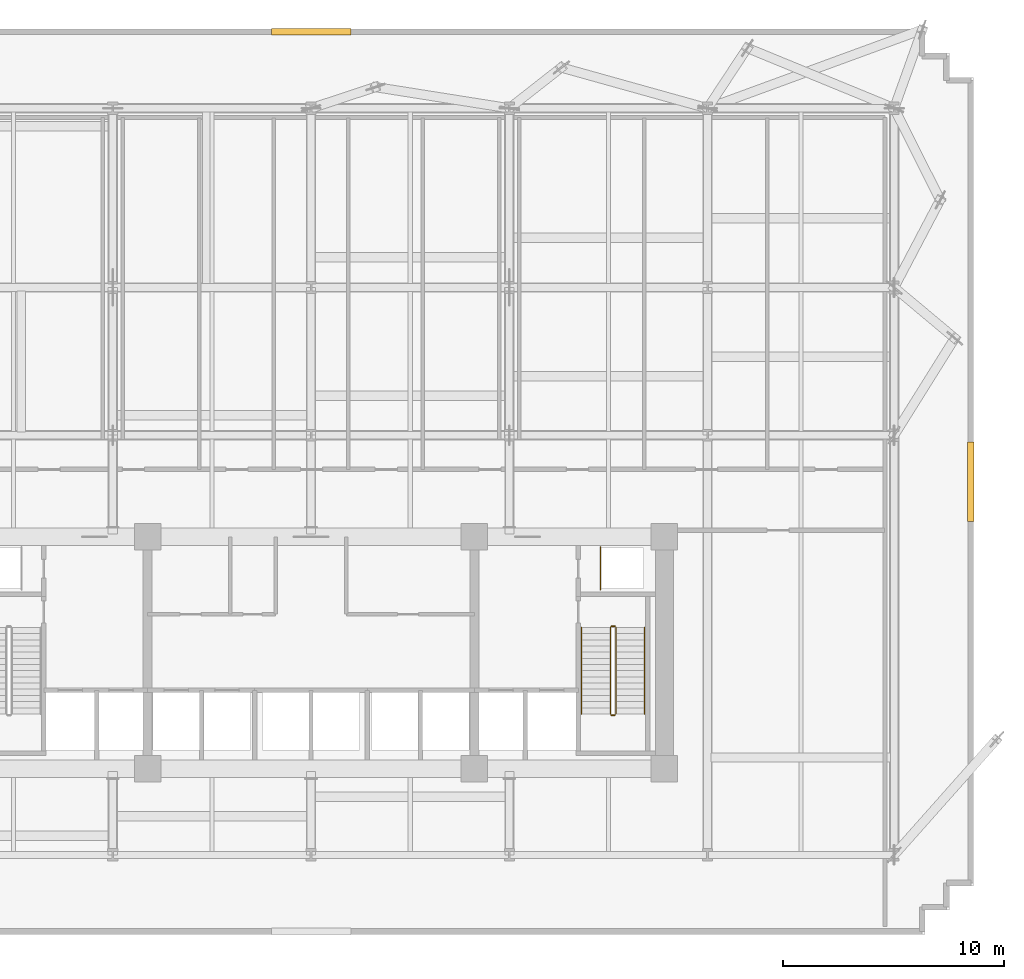
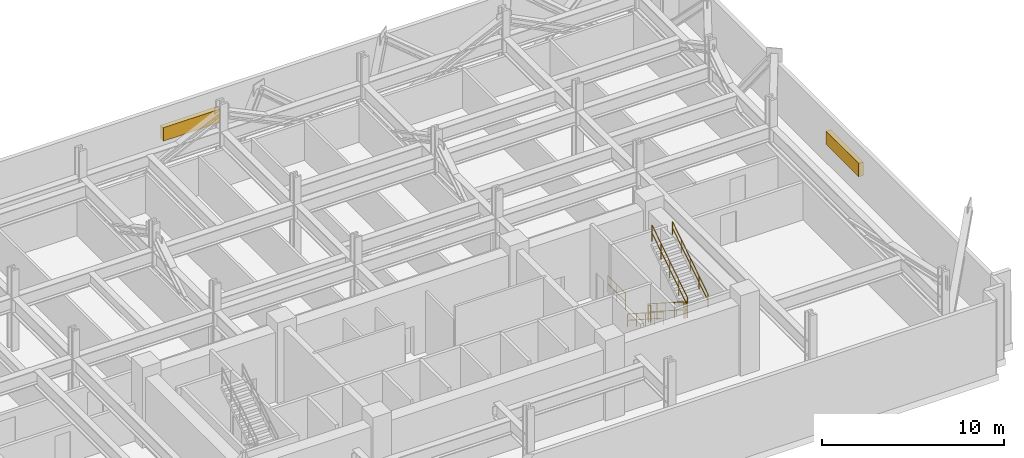
# One storey, part 9 of 9: 7 railings, 2 shading devices.
"""IFC4 building model written with IfcOpenShell, lengths in metres."""

from ifc_helpers import new_model, si_unit, direction, frame, origin, origin_2d, place, context, subcontext, project, spatial, rectangle, circle, extrude, material, layer, layer_set, type_object, element, save


model = new_model("IFC4")

# Units and contexts
model_context = context("Model", 3, precision=1e-05, world=origin(), true_north=direction((0.0, 1.0)))
body_context = subcontext(model_context, "Body", "Model", "MODEL_VIEW")
ifc_project = project(units=[si_unit("LENGTHUNIT", "METRE"), si_unit("AREAUNIT", "SQUARE_METRE"), si_unit("VOLUMEUNIT", "CUBIC_METRE"), si_unit("PLANEANGLEUNIT", "RADIAN"), si_unit("MASSUNIT", "GRAM", prefix="KILO")], contexts=[model_context])

# Site, building, storey
site_placement = place(None, origin())
site = spatial("IfcSite", under=ifc_project, at=site_placement, CompositionType="ELEMENT")
building_placement = place(site_placement, origin())
building = spatial("IfcBuilding", under=site, at=building_placement, Name="Solmavex Isthmus Hotel", CompositionType="ELEMENT")
storey_placement = place(building_placement, frame((0.0, 0.0, 74.699951171875)))
storey = spatial("IfcBuildingStorey", under=building, at=storey_placement, Name="L20", CompositionType="ELEMENT", Elevation=74.699951171875)

# Railings
ifc_material_1 = material(Name="Clear low-E laminated glass", Category="glass")
ifc_layer_1 = layer(ifc_material_1, 0.080078125)
ifc_layer_set_1 = layer_set([ifc_layer_1], Name="Clear low-E laminated glass")
railing_type_1 = type_object("IfcRailingType", Name="RAIL-ATRIUM-1120", PredefinedType="BALUSTRADE", material=ifc_layer_set_1)
railing_1_placement = place(storey_placement, frame((13.10009765625, -4.89990234375, 0.0)))
element("IfcRailing", 1, at=railing_1_placement, inside=storey, type_object=railing_type_1, Name="Guardrail Balustrade L20-RSE-01", PredefinedType="BALUSTRADE", context=body_context, shape_type="SweptSolid", body=[
    extrude(circle(Radius=0.02392578125, at=origin_2d()), frame((0.0, 0.0, 1.1259765625), z_axis=(0.0, 1.0, 0.0), x_axis=(-1.0, 0.0, 0.0)), (0.0, 0.0, 1.0), 1.949951171875),
    extrude(circle(Radius=0.02392578125, at=origin_2d()), frame((0.0, 0.0, 0.574951171875), z_axis=(0.0, 1.0, 0.0), x_axis=(-1.0, 0.0, 0.0)), (0.0, 0.0, 1.0), 1.949951171875),
    extrude(circle(Radius=0.02099609375, at=origin_2d()), origin(), (0.0, 0.0, 1.0), 1.101806640625),
    extrude(circle(Radius=0.02099609375, at=origin_2d()), frame((0.0, 0.97509765625, 0.0)), (0.0, 0.0, 1.0), 1.101806640625),
    extrude(circle(Radius=0.02099609375, at=origin_2d()), frame((0.0, 1.949951171875, 0.0)), (0.0, 0.0, 1.0), 1.101806640625),
])
ifc_material_2 = material(Name="Stainless steel 316", Category="steel")
ifc_layer_2 = layer(ifc_material_2, 0.06005859375)
ifc_layer_set_2 = layer_set([ifc_layer_2], Name="Stainless steel 316")
railing_type_2 = type_object("IfcRailingType", Name="RAIL-STAIR-GD", PredefinedType="GUARDRAIL", material=ifc_layer_set_2)
railing_2_placement = place(storey_placement, frame((13.550048828125, -6.60009765625, 0.179931640625)))
element("IfcRailing", 2, at=railing_2_placement, inside=storey, type_object=railing_type_2, Name="L20 ST-2 stair guard 1", PredefinedType="GUARDRAIL", context=body_context, shape_type="SweptSolid", body=[
    extrude(circle(Radius=0.02392578125, at=origin_2d()), frame((0.0, 0.0, 1.09619140625), z_axis=(0.0, -0.841171666519, 0.540768182723), x_axis=(1.0, 0.0, 0.0)), (0.0, 0.0, 1.0), 4.66015625),
    extrude(circle(Radius=0.02392578125, at=origin_2d()), frame((0.0, 0.0, 0.56005859375), z_axis=(0.0, -0.841171666519, 0.540768182723), x_axis=(1.0, 0.0, 0.0)), (0.0, 0.0, 1.0), 4.66015625),
    extrude(circle(Radius=0.02099609375, at=origin_2d()), origin(), (0.0, 0.0, 1.0), 1.072021484375),
    extrude(circle(Radius=0.02099609375, at=origin_2d()), frame((0.0, -0.97998046875, 0.6298828125)), (0.0, 0.0, 1.0), 1.072021484375),
    extrude(circle(Radius=0.02099609375, at=origin_2d()), frame((0.0, -1.9599609375, 1.260009765625)), (0.0, 0.0, 1.0), 1.072021484375),
    extrude(circle(Radius=0.02099609375, at=origin_2d()), frame((0.0, -2.93994140625, 1.89013671875)), (0.0, 0.0, 1.0), 1.072021484375),
    extrude(circle(Radius=0.02099609375, at=origin_2d()), frame((0.0, -3.919921875, 2.52001953125)), (0.0, 0.0, 1.0), 1.072021484375),
])
railing_3_placement = place(storey_placement, frame((13.60009765625, -10.570068359375, 2.699951171875)))
element("IfcRailing", 3, at=railing_3_placement, inside=storey, type_object=railing_type_2, Name="L20 ST-2 stair guard 2", PredefinedType="GUARDRAIL", context=body_context, shape_type="SweptSolid", body=[
    extrude(circle(Radius=0.02392578125, at=origin_2d()), frame((0.0, 0.0, 1.09619140625), z_axis=(1.0, 0.0, 0.0), x_axis=(0.0, 1.0, 0.0)), (0.0, 0.0, 1.0), 0.14990234375),
    extrude(circle(Radius=0.02392578125, at=origin_2d()), frame((0.0, 0.0, 0.56005859375), z_axis=(1.0, 0.0, 0.0), x_axis=(0.0, 1.0, 0.0)), (0.0, 0.0, 1.0), 0.14990234375),
    extrude(circle(Radius=0.02099609375, at=origin_2d()), origin(), (0.0, 0.0, 1.0), 1.072021484375),
    extrude(circle(Radius=0.02099609375, at=origin_2d()), frame((0.14990234375, 0.0, 0.0)), (0.0, 0.0, 1.0), 1.072021484375),
])
railing_4_placement = place(storey_placement, frame((13.800048828125, -10.52001953125, 2.880126953125)))
element("IfcRailing", 4, at=railing_4_placement, inside=storey, type_object=railing_type_2, Name="L20 ST-2 stair guard 3", PredefinedType="GUARDRAIL", context=body_context, shape_type="SweptSolid", body=[
    extrude(circle(Radius=0.02392578125, at=origin_2d()), frame((0.0, 0.0, 1.09619140625), z_axis=(0.0, 0.841171666519, 0.540768182723), x_axis=(-1.0, 0.0, 0.0)), (0.0, 0.0, 1.0), 4.66015625),
    extrude(circle(Radius=0.02392578125, at=origin_2d()), frame((0.0, 0.0, 0.56005859375), z_axis=(0.0, 0.841171666519, 0.540768182723), x_axis=(-1.0, 0.0, 0.0)), (0.0, 0.0, 1.0), 4.66015625),
    extrude(circle(Radius=0.02099609375, at=origin_2d()), origin(), (0.0, 0.0, 1.0), 1.072021484375),
    extrude(circle(Radius=0.02099609375, at=origin_2d()), frame((0.0, 0.97998046875, 0.6298828125)), (0.0, 0.0, 1.0), 1.072021484375),
    extrude(circle(Radius=0.02099609375, at=origin_2d()), frame((0.0, 1.9599609375, 1.260009765625)), (0.0, 0.0, 1.0), 1.072021484375),
    extrude(circle(Radius=0.02099609375, at=origin_2d()), frame((0.0, 2.93994140625, 1.89013671875)), (0.0, 0.0, 1.0), 1.072021484375),
    extrude(circle(Radius=0.02099609375, at=origin_2d()), frame((0.0, 3.919921875, 2.52001953125)), (0.0, 0.0, 1.0), 1.072021484375),
])
railing_5_placement = place(storey_placement, frame((13.60009765625, -6.550048828125, 0.0)))
element("IfcRailing", 5, at=railing_5_placement, inside=storey, type_object=railing_type_2, Name="L20 ST-2 stair guard 4", PredefinedType="GUARDRAIL", context=body_context, shape_type="SweptSolid", body=[
    extrude(circle(Radius=0.02392578125, at=origin_2d()), frame((0.0, 0.0, 1.09619140625), z_axis=(1.0, 0.0, 0.0), x_axis=(0.0, 1.0, 0.0)), (0.0, 0.0, 1.0), 0.14990234375),
    extrude(circle(Radius=0.02392578125, at=origin_2d()), frame((0.0, 0.0, 0.56005859375), z_axis=(1.0, 0.0, 0.0), x_axis=(0.0, 1.0, 0.0)), (0.0, 0.0, 1.0), 0.14990234375),
    extrude(circle(Radius=0.02099609375, at=origin_2d()), origin(), (0.0, 0.0, 1.0), 1.072021484375),
    extrude(circle(Radius=0.02099609375, at=origin_2d()), frame((0.14990234375, 0.0, 0.0)), (0.0, 0.0, 1.0), 1.072021484375),
])
ifc_layer_3 = layer(ifc_material_2, 0.050048828125)
ifc_layer_set_3 = layer_set([ifc_layer_3], Name="Stainless steel 316")
railing_type_3 = type_object("IfcRailingType", Name="RAIL-STAIR-HR", PredefinedType="HANDRAIL", material=ifc_layer_set_3)
railing_6_placement = place(storey_placement, frame((12.25, -6.60009765625, 0.179931640625)))
element("IfcRailing", 6, at=railing_6_placement, inside=storey, type_object=railing_type_3, Name="L20 ST-2 stair handrail 1", PredefinedType="HANDRAIL", context=body_context, shape_type="SweptSolid", body=[
    extrude(circle(Radius=0.02392578125, at=origin_2d()), frame((0.0, 0.0, 0.8759765625), z_axis=(0.0, -0.841171666519, 0.540768182723), x_axis=(1.0, 0.0, 0.0)), (0.0, 0.0, 1.0), 4.66015625),
    extrude(circle(Radius=0.02392578125, at=origin_2d()), frame((0.0, 0.0, 0.449951171875), z_axis=(0.0, -0.841171666519, 0.540768182723), x_axis=(1.0, 0.0, 0.0)), (0.0, 0.0, 1.0), 4.66015625),
    extrude(circle(Radius=0.02099609375, at=origin_2d()), origin(), (0.0, 0.0, 1.0), 0.851806640625),
    extrude(circle(Radius=0.02099609375, at=origin_2d()), frame((0.0, -0.97998046875, 0.6298828125)), (0.0, 0.0, 1.0), 0.851806640625),
    extrude(circle(Radius=0.02099609375, at=origin_2d()), frame((0.0, -1.9599609375, 1.260009765625)), (0.0, 0.0, 1.0), 0.851806640625),
    extrude(circle(Radius=0.02099609375, at=origin_2d()), frame((0.0, -2.93994140625, 1.89013671875)), (0.0, 0.0, 1.0), 0.851806640625),
    extrude(circle(Radius=0.02099609375, at=origin_2d()), frame((0.0, -3.919921875, 2.52001953125)), (0.0, 0.0, 1.0), 0.851806640625),
])
railing_7_placement = place(storey_placement, frame((15.10009765625, -10.52001953125, 2.880126953125)))
element("IfcRailing", 7, at=railing_7_placement, inside=storey, type_object=railing_type_3, Name="L20 ST-2 stair handrail 2", PredefinedType="HANDRAIL", context=body_context, shape_type="SweptSolid", body=[
    extrude(circle(Radius=0.02392578125, at=origin_2d()), frame((0.0, 0.0, 0.8759765625), z_axis=(0.0, 0.841171666519, 0.540768182723), x_axis=(-1.0, 0.0, 0.0)), (0.0, 0.0, 1.0), 4.66015625),
    extrude(circle(Radius=0.02392578125, at=origin_2d()), frame((0.0, 0.0, 0.449951171875), z_axis=(0.0, 0.841171666519, 0.540768182723), x_axis=(-1.0, 0.0, 0.0)), (0.0, 0.0, 1.0), 4.66015625),
    extrude(circle(Radius=0.02099609375, at=origin_2d()), origin(), (0.0, 0.0, 1.0), 0.851806640625),
    extrude(circle(Radius=0.02099609375, at=origin_2d()), frame((0.0, 0.97998046875, 0.6298828125)), (0.0, 0.0, 1.0), 0.851806640625),
    extrude(circle(Radius=0.02099609375, at=origin_2d()), frame((0.0, 1.9599609375, 1.260009765625)), (0.0, 0.0, 1.0), 0.851806640625),
    extrude(circle(Radius=0.02099609375, at=origin_2d()), frame((0.0, 2.93994140625, 1.89013671875)), (0.0, 0.0, 1.0), 0.851806640625),
    extrude(circle(Radius=0.02099609375, at=origin_2d()), frame((0.0, 3.919921875, 2.52001953125)), (0.0, 0.0, 1.0), 0.851806640625),
])

# Shading devices
ifc_material_3 = material(Name="Aluminium alloy 6063-T6", Category="aluminium")
shading_device_type = type_object("IfcShadingDeviceType", Name="SHD-LOUVRE-BOX", PredefinedType="JALOUSIE", material=ifc_material_3)
for number, where, z_axis, x_axis, name in (
    (8, (0.0, 20.3701171875, 1.32763671875), (0.0, 0.0, 1.0), (1.0, 0.0, 0.0), "Acoustic Intake Louvre Screen L20-11"),
    (9, (29.8701171875, 0.0, 1.24267578125), (0.0, 0.0, 1.0), (0.0, -1.0, 0.0), "Acoustic Intake Louvre Screen L20-16"),
):
    element("IfcShadingDevice", number, at=place(storey_placement, frame(where, z_axis=z_axis, x_axis=x_axis)), inside=storey, type_object=shading_device_type, Name=name, PredefinedType="JALOUSIE", context=body_context, shape_type="SweptSolid", body=[
        extrude(rectangle(XDim=3.60009765625, YDim=0.300048828125, at=origin_2d()), origin(), (0.0, 0.0, 1.0), 0.89990234375),
    ])

save(model, "model.ifc")
